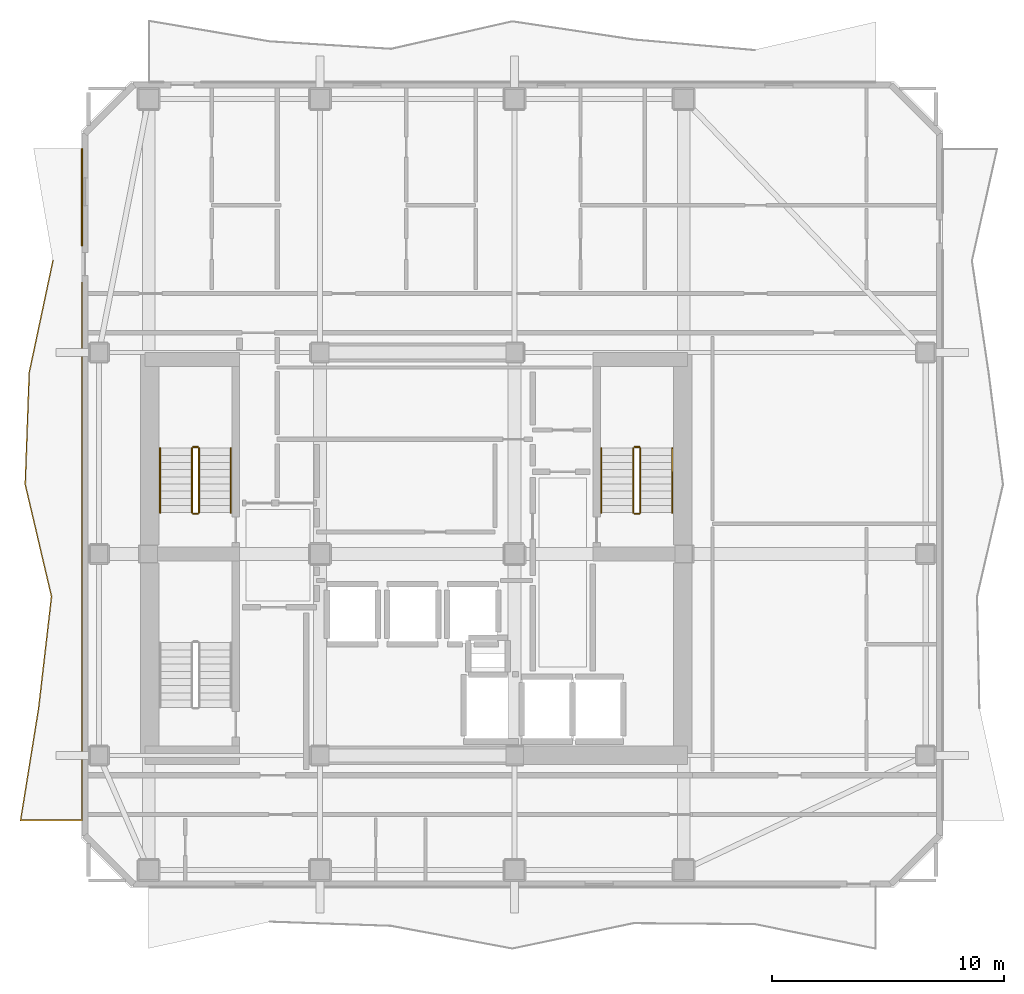
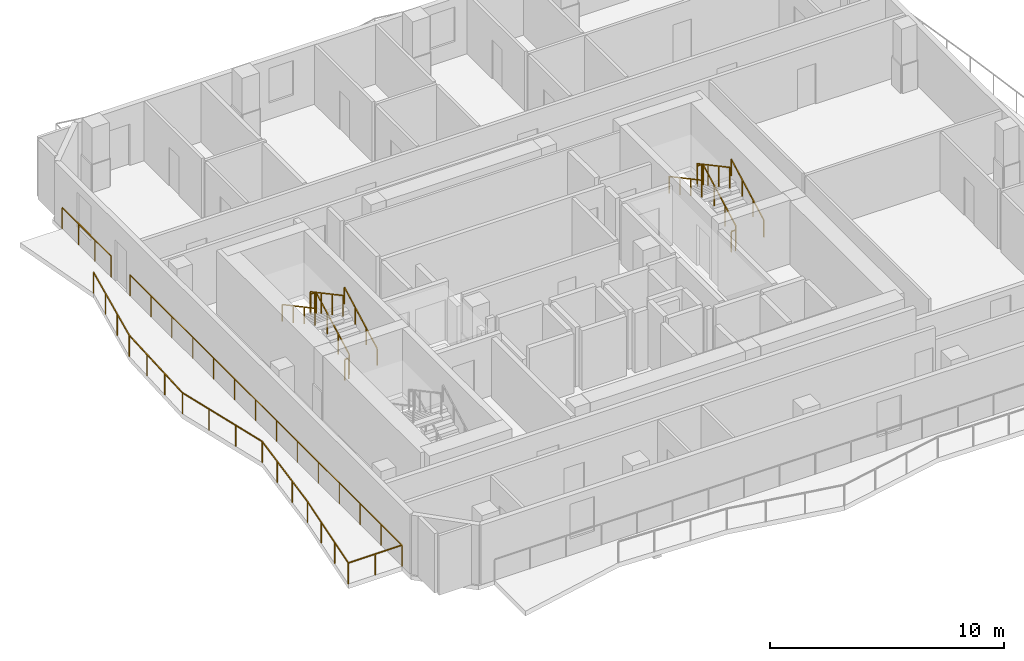
# One storey, part 8 of 9: 14 railings.
"""IFC4 building model written with IfcOpenShell, lengths in metres."""

import ifcopenshell
import ifcopenshell.guid

model = None  # the IFC model being written
_history = None  # IfcOwnerHistory: only IFC2X3 demands one
_inside = {}  # id of a spatial element -> (the spatial element, [elements in it])
_under = {}  # id of a project, library or spatial element -> (it, [spatial elements below it])
_declared = {}  # id of a project -> (the project, [libraries it declares])
_typed = {}  # id of a type object -> (the type object, [elements of that type])
_made_of = {}  # id of a material, layer set ... -> (it, [elements and type objects made of it])


def new_model(schema):
    """Start an empty IFC model of exactly this schema.

    Asked for "IFC4X3", IfcOpenShell would pick the latest addendum, in which some entities
    have other attributes; the version numbers below select the first issue.
    IFC2X3 requires an IfcOwnerHistory on every rooted entity: one is made here for all.
    """
    global model, _history
    if schema == "IFC4X3":
        model = ifcopenshell.file(schema_version=(4, 3, 0, 0))
    else:
        model = ifcopenshell.file(schema=schema)
    _inside.clear()
    _under.clear()
    _declared.clear()
    _typed.clear()
    _made_of.clear()
    _history = None
    if model.schema == "IFC2X3":
        org = make("IfcOrganization", Name="unknown")
        user = make(
            "IfcPersonAndOrganization",
            ThePerson=make("IfcPerson", FamilyName="unknown"),
            TheOrganization=org,
        )
        app = make(
            "IfcApplication",
            ApplicationDeveloper=org,
            Version="unknown",
            ApplicationFullName="unknown",
            ApplicationIdentifier="unknown",
        )
        _history = make(
            "IfcOwnerHistory",
            OwningUser=user,
            OwningApplication=app,
            ChangeAction="ADDED",
            CreationDate=0,
        )
    return model


def make(cls, **values):
    """One entity of the class cls with the attributes given. An attribute that is None is left unset."""
    return model.create_entity(
        cls, **{name: value for name, value in values.items() if value is not None}
    )


def rooted(cls, **values):
    """An entity with a GlobalId (a new one), such as an element, a storey or a relation."""
    return make(cls, GlobalId=ifcopenshell.guid.new(), OwnerHistory=_history, **values)


def si_unit(unit_type, name, prefix=None):
    """IfcSIUnit, for example si_unit("LENGTHUNIT", "METRE", prefix="MILLI")."""
    return make("IfcSIUnit", UnitType=unit_type, Prefix=prefix, Name=name)


def assignment(units):
    """IfcUnitAssignment: the units of a project."""
    return None if units is None else make("IfcUnitAssignment", Units=units)


def point(xyz):
    """IfcCartesianPoint."""
    return None if xyz is None else make("IfcCartesianPoint", Coordinates=xyz)


def direction(xyz):
    """IfcDirection."""
    return None if xyz is None else make("IfcDirection", DirectionRatios=xyz)


def frame(location, z_axis=None, x_axis=None):
    """IfcAxis2Placement3D, a coordinate frame: its origin and axes. An axis left out is left unset."""
    return make(
        "IfcAxis2Placement3D",
        Location=point(location),
        Axis=direction(z_axis),
        RefDirection=direction(x_axis),
    )


def frame_2d(location, x_axis=None):
    """IfcAxis2Placement2D, a coordinate frame in the plane: its origin and x axis."""
    return make(
        "IfcAxis2Placement2D", Location=point(location), RefDirection=direction(x_axis)
    )


def origin():
    """The frame at (0, 0, 0) with its axes left unset."""
    return frame((0.0, 0.0, 0.0))


def origin_2d():
    """The frame at (0, 0) in the plane with its x axis left unset."""
    return frame_2d((0.0, 0.0))


def place(relative_to, where):
    """IfcLocalPlacement: puts the frame where relative to a parent placement (None: the world)."""
    return make(
        "IfcLocalPlacement", PlacementRelTo=relative_to, RelativePlacement=where
    )


def context(
    kind, dimensions, precision=None, world=None, true_north=None, identifier=None
):
    """IfcGeometricRepresentationContext, for example the 3D "Model" context."""
    return make(
        "IfcGeometricRepresentationContext",
        ContextIdentifier=identifier,
        ContextType=kind,
        CoordinateSpaceDimension=dimensions,
        Precision=precision,
        WorldCoordinateSystem=world,
        TrueNorth=true_north,
    )


def subcontext(parent, identifier, kind, view, scale=None):
    """IfcGeometricRepresentationSubContext, for example "Body" below "Model"."""
    return make(
        "IfcGeometricRepresentationSubContext",
        ContextIdentifier=identifier,
        ContextType=kind,
        ParentContext=parent,
        TargetScale=scale,
        TargetView=view,
    )


def project(units=None, contexts=None):
    """IfcProject with its units and contexts."""
    return rooted(
        "IfcProject",
        Name="project",
        RepresentationContexts=contexts,
        UnitsInContext=assignment(units),
    )


def spatial(cls, under=None, at=None, **own):
    """A site, building, storey or space (cls), placed at a placement, below another one or the project."""
    s = rooted(cls, ObjectPlacement=at, **own)
    if under is not None:
        _under.setdefault(under.id(), (under, []))[1].append(s)
    return s


def profile(cls, at=None, kind="AREA", **sizes):
    """A parametric profile (cls). Its sizes go by their IFC names, for example OverallWidth=200.0."""
    return make(cls, ProfileType=kind, Position=at, **sizes)


def rectangle(**sizes):
    """IfcRectangleProfileDef."""
    return profile("IfcRectangleProfileDef", **sizes)


def extrude(swept, where, along, depth):
    """IfcExtrudedAreaSolid: the profile swept, set in the frame where, extruded along a direction by depth."""
    return make(
        "IfcExtrudedAreaSolid",
        SweptArea=swept,
        Position=where,
        ExtrudedDirection=direction(along),
        Depth=depth,
    )


def shape(context_of_items, identifier, shape_type, items):
    """IfcShapeRepresentation: the items that make up one representation, for example the "Body"."""
    return make(
        "IfcShapeRepresentation",
        ContextOfItems=context_of_items,
        RepresentationIdentifier=identifier,
        RepresentationType=shape_type,
        Items=items,
    )


def material(Name=None, Category=None):
    """IfcMaterial."""
    return make("IfcMaterial", Name=Name, Category=Category)


def made_of(thing, what):
    """Note that an element or type object is made of a material, layer set ...; save() writes the relation."""
    if what is not None:
        _made_of.setdefault(what.id(), (what, []))[1].append(thing)
    return thing


def type_object(cls, material=None, **own):
    """A type object (cls), such as IfcWallType, which elements share."""
    return made_of(rooted(cls, **own), material)


def element(
    cls,
    number,
    at=None,
    inside=None,
    cuts=None,
    type_object=None,
    material=None,
    context=None,
    identifier="Body",
    shape_type=None,
    held_by="IfcProductDefinitionShape",
    body=None,
    shapes=None,
    **own,
):
    """One element of the class cls, such as IfcWall. Its Tag is "e" and its number.

    at: its placement. inside: the storey or other place that contains it. cuts: it is an
    opening in that element (IfcRelVoidsElement). A single representation is given by context,
    identifier, shape_type and body (its items); several are given by shapes. held_by: the class
    of the entity that holds the representations. save() writes the other relations.
    """
    e = rooted(cls, Tag="e%d" % number, ObjectPlacement=at, **own)
    if body is not None:
        shapes = [shape(context, identifier, shape_type, body)]
    if shapes is not None:
        e.Representation = make(held_by, Representations=shapes)
    if inside is not None:
        _inside.setdefault(inside.id(), (inside, []))[1].append(e)
    if cuts is not None:
        rooted(
            "IfcRelVoidsElement", RelatingBuildingElement=cuts, RelatedOpeningElement=e
        )
    if type_object is not None:
        _typed.setdefault(type_object.id(), (type_object, []))[1].append(e)
    return made_of(e, material)


def aggregate(whole, parts):
    """IfcRelAggregates: a whole, such as a stair, and the parts it consists of."""
    return rooted("IfcRelAggregates", RelatingObject=whole, RelatedObjects=parts)


def save(model, path):
    """Write the relations noted so far, then the file.

    IfcRelAggregates (storeys below a building ...), IfcRelContainedInSpatialStructure (elements
    in a storey), IfcRelDefinesByType, IfcRelAssociatesMaterial and IfcRelDeclares: one each for
    every whole, place, type object, material and project.
    """
    for whole, parts in _under.values():
        aggregate(whole, parts)
    for where, things in _inside.values():
        rooted(
            "IfcRelContainedInSpatialStructure",
            RelatedElements=things,
            RelatingStructure=where,
        )
    for kind, things in _typed.values():
        rooted("IfcRelDefinesByType", RelatedObjects=things, RelatingType=kind)
    for what, things in _made_of.values():
        rooted("IfcRelAssociatesMaterial", RelatedObjects=things, RelatingMaterial=what)
    for by, libraries in _declared.values():
        rooted("IfcRelDeclares", RelatingContext=by, RelatedDefinitions=libraries)
    model.write(path)


model = new_model("IFC4")

# Units and contexts
model_context = context("Model", 3, precision=1e-05, world=origin(), true_north=direction((0.0, 1.0)))
body_context = subcontext(model_context, "Body", "Model", "MODEL_VIEW")
ifc_project = project(units=[si_unit("LENGTHUNIT", "METRE"), si_unit("AREAUNIT", "SQUARE_METRE"), si_unit("VOLUMEUNIT", "CUBIC_METRE"), si_unit("PLANEANGLEUNIT", "RADIAN"), si_unit("MASSUNIT", "GRAM", prefix="KILO")], contexts=[model_context])

# Site, building, storey
site_placement = place(None, origin())
site = spatial("IfcSite", under=ifc_project, at=site_placement, CompositionType="ELEMENT")
building_placement = place(site_placement, origin())
building = spatial("IfcBuilding", under=site, at=building_placement, Name="Solanera Arch Residences", CompositionType="ELEMENT")
storey_placement = place(building_placement, frame((0.0, 0.0, 244.56005859375)))
storey = spatial("IfcBuildingStorey", under=building, at=storey_placement, Name="L71", CompositionType="ELEMENT", Elevation=244.56005859375)

# Railings
ifc_material_1 = material(Name="Steel S355 (ASTM A992 / A572 Grade 50)", Category="steel")
railing_type_1 = type_object("IfcRailingType", Name="Balustrade Railing BL-1100", PredefinedType="BALUSTRADE", material=ifc_material_1)
railing_1_placement = place(storey_placement, frame((9.262939453125, 43.366943359375, 0.0)))
element("IfcRailing", 1, at=railing_1_placement, inside=storey, type_object=railing_type_1, Name="L71 W Balcony Balustrade 1", PredefinedType="BALUSTRADE", context=body_context, shape_type="SweptSolid", body=[
    extrude(rectangle(XDim=0.048095703125, YDim=0.048095703125, at=origin_2d()), frame((0.0, 0.0, 1.09619140625), z_axis=(-0.207409648546, -0.978254178468, 0.0), x_axis=(0.978254178468, -0.207409648546, 0.0)), (0.0, 0.0, 1.0), 4.94140625),
    extrude(rectangle(XDim=0.048095703125, YDim=0.048095703125, at=origin_2d()), frame((-1.02490234375, -4.833984375, 1.09619140625), z_axis=(-0.035792367488, -0.999359247933, 0.0), x_axis=(0.999359247933, -0.035792367488, 0.0)), (0.0, 0.0, 1.0), 4.836181640625),
    extrude(rectangle(XDim=0.048095703125, YDim=0.048095703125, at=origin_2d()), frame((-1.197998046875, -9.6669921875, 1.09619140625), z_axis=(0.228811832081, -0.973470670077, 0.0), x_axis=(0.973470670077, 0.228811832081, 0.0)), (0.0, 0.0, 1.0), 4.964599609375),
    extrude(rectangle(XDim=0.048095703125, YDim=0.048095703125, at=origin_2d()), frame((-0.06201171875, -14.5, 1.09619140625), z_axis=(-0.114643151373, -0.993406738372, 0.0), x_axis=(0.993406738372, -0.114643151373, 0.0)), (0.0, 0.0, 1.0), 4.865966796875),
    extrude(rectangle(XDim=0.048095703125, YDim=0.048095703125, at=origin_2d()), frame((-0.619873046875, -19.333984375, 1.09619140625), z_axis=(-0.15875102326, -0.987318647962, 0.0), x_axis=(0.987318647962, -0.15875102326, 0.0)), (0.0, 0.0, 1.0), 4.89501953125),
    extrude(rectangle(XDim=0.048095703125, YDim=0.048095703125, at=origin_2d()), frame((-1.39697265625, -24.1669921875, 1.09619140625), z_axis=(1.0, 0.0, 0.0), x_axis=(0.0, 1.0, 0.0)), (0.0, 0.0, 1.0), 2.654052734375),
    extrude(rectangle(XDim=0.048095703125, YDim=0.048095703125, at=origin_2d()), frame((1.257080078125, -24.1669921875, 1.09619140625), z_axis=(0.0, 1.0, 0.0), x_axis=(-1.0, 0.0, 0.0)), (0.0, 0.0, 1.0), 23.216064453125),
    extrude(rectangle(XDim=0.0419921875, YDim=0.0419921875, at=origin_2d()), origin(), (0.0, 0.0, 1.0), 1.072021484375),
    extrude(rectangle(XDim=0.0419921875, YDim=0.0419921875, at=origin_2d()), frame((-0.341552734375, -1.611328125, 0.0)), (0.0, 0.0, 1.0), 1.072021484375),
    extrude(rectangle(XDim=0.0419921875, YDim=0.0419921875, at=origin_2d()), frame((-0.683349609375, -3.22265625, 0.0)), (0.0, 0.0, 1.0), 1.072021484375),
    extrude(rectangle(XDim=0.0419921875, YDim=0.0419921875, at=origin_2d()), frame((-1.02490234375, -4.833984375, 0.0)), (0.0, 0.0, 1.0), 1.072021484375),
    extrude(rectangle(XDim=0.0419921875, YDim=0.0419921875, at=origin_2d()), frame((-1.08251953125, -6.445068359375, 0.0)), (0.0, 0.0, 1.0), 1.072021484375),
    extrude(rectangle(XDim=0.0419921875, YDim=0.0419921875, at=origin_2d()), frame((-1.140380859375, -8.055908203125, 0.0)), (0.0, 0.0, 1.0), 1.072021484375),
    extrude(rectangle(XDim=0.0419921875, YDim=0.0419921875, at=origin_2d()), frame((-1.197998046875, -9.6669921875, 0.0)), (0.0, 0.0, 1.0), 1.072021484375),
    extrude(rectangle(XDim=0.0419921875, YDim=0.0419921875, at=origin_2d()), frame((-0.8193359375, -11.278076171875, 0.0)), (0.0, 0.0, 1.0), 1.072021484375),
    extrude(rectangle(XDim=0.0419921875, YDim=0.0419921875, at=origin_2d()), frame((-0.440673828125, -12.888916015625, 0.0)), (0.0, 0.0, 1.0), 1.072021484375),
    extrude(rectangle(XDim=0.0419921875, YDim=0.0419921875, at=origin_2d()), frame((-0.06201171875, -14.5, 0.0)), (0.0, 0.0, 1.0), 1.072021484375),
    extrude(rectangle(XDim=0.0419921875, YDim=0.0419921875, at=origin_2d()), frame((-0.248046875, -16.111328125, 0.0)), (0.0, 0.0, 1.0), 1.072021484375),
    extrude(rectangle(XDim=0.0419921875, YDim=0.0419921875, at=origin_2d()), frame((-0.433837890625, -17.72265625, 0.0)), (0.0, 0.0, 1.0), 1.072021484375),
    extrude(rectangle(XDim=0.0419921875, YDim=0.0419921875, at=origin_2d()), frame((-0.619873046875, -19.333984375, 0.0)), (0.0, 0.0, 1.0), 1.072021484375),
    extrude(rectangle(XDim=0.0419921875, YDim=0.0419921875, at=origin_2d()), frame((-0.87890625, -20.945068359375, 0.0)), (0.0, 0.0, 1.0), 1.072021484375),
    extrude(rectangle(XDim=0.0419921875, YDim=0.0419921875, at=origin_2d()), frame((-1.137939453125, -22.555908203125, 0.0)), (0.0, 0.0, 1.0), 1.072021484375),
    extrude(rectangle(XDim=0.0419921875, YDim=0.0419921875, at=origin_2d()), frame((-1.39697265625, -24.1669921875, 0.0)), (0.0, 0.0, 1.0), 1.072021484375),
    extrude(rectangle(XDim=0.0419921875, YDim=0.0419921875, at=origin_2d()), frame((-0.06982421875, -24.1669921875, 0.0)), (0.0, 0.0, 1.0), 1.072021484375),
    extrude(rectangle(XDim=0.0419921875, YDim=0.0419921875, at=origin_2d()), frame((1.257080078125, -24.1669921875, 0.0)), (0.0, 0.0, 1.0), 1.072021484375),
    extrude(rectangle(XDim=0.0419921875, YDim=0.0419921875, at=origin_2d()), frame((1.257080078125, -22.381103515625, 0.0)), (0.0, 0.0, 1.0), 1.072021484375),
    extrude(rectangle(XDim=0.0419921875, YDim=0.0419921875, at=origin_2d()), frame((1.257080078125, -20.59521484375, 0.0)), (0.0, 0.0, 1.0), 1.072021484375),
    extrude(rectangle(XDim=0.0419921875, YDim=0.0419921875, at=origin_2d()), frame((1.257080078125, -18.809326171875, 0.0)), (0.0, 0.0, 1.0), 1.072021484375),
    extrude(rectangle(XDim=0.0419921875, YDim=0.0419921875, at=origin_2d()), frame((1.257080078125, -17.023681640625, 0.0)), (0.0, 0.0, 1.0), 1.072021484375),
    extrude(rectangle(XDim=0.0419921875, YDim=0.0419921875, at=origin_2d()), frame((1.257080078125, -15.23779296875, 0.0)), (0.0, 0.0, 1.0), 1.072021484375),
    extrude(rectangle(XDim=0.0419921875, YDim=0.0419921875, at=origin_2d()), frame((1.257080078125, -13.451904296875, 0.0)), (0.0, 0.0, 1.0), 1.072021484375),
    extrude(rectangle(XDim=0.0419921875, YDim=0.0419921875, at=origin_2d()), frame((1.257080078125, -11.666015625, 0.0)), (0.0, 0.0, 1.0), 1.072021484375),
    extrude(rectangle(XDim=0.0419921875, YDim=0.0419921875, at=origin_2d()), frame((1.257080078125, -9.880126953125, 0.0)), (0.0, 0.0, 1.0), 1.072021484375),
    extrude(rectangle(XDim=0.0419921875, YDim=0.0419921875, at=origin_2d()), frame((1.257080078125, -8.09423828125, 0.0)), (0.0, 0.0, 1.0), 1.072021484375),
    extrude(rectangle(XDim=0.0419921875, YDim=0.0419921875, at=origin_2d()), frame((1.257080078125, -6.30859375, 0.0)), (0.0, 0.0, 1.0), 1.072021484375),
    extrude(rectangle(XDim=0.0419921875, YDim=0.0419921875, at=origin_2d()), frame((1.257080078125, -4.522705078125, 0.0)), (0.0, 0.0, 1.0), 1.072021484375),
    extrude(rectangle(XDim=0.0419921875, YDim=0.0419921875, at=origin_2d()), frame((1.257080078125, -2.73681640625, 0.0)), (0.0, 0.0, 1.0), 1.072021484375),
    extrude(rectangle(XDim=0.0419921875, YDim=0.0419921875, at=origin_2d()), frame((1.257080078125, -0.950927734375, 0.0)), (0.0, 0.0, 1.0), 1.072021484375),
])
railing_2_placement = place(storey_placement, frame((10.52001953125, 44.01611328125, 0.0)))
element("IfcRailing", 2, at=railing_2_placement, inside=storey, type_object=railing_type_1, Name="L71 W Balcony Balustrade 2", PredefinedType="BALUSTRADE", context=body_context, shape_type="SweptSolid", body=[
    extrude(rectangle(XDim=0.048095703125, YDim=0.048095703125, at=origin_2d()), frame((0.0, 0.0, 1.09619140625), z_axis=(0.0, 1.0, 0.0), x_axis=(-1.0, 0.0, 0.0)), (0.0, 0.0, 1.0), 4.183837890625),
    extrude(rectangle(XDim=0.0419921875, YDim=0.0419921875, at=origin_2d()), origin(), (0.0, 0.0, 1.0), 1.072021484375),
    extrude(rectangle(XDim=0.0419921875, YDim=0.0419921875, at=origin_2d()), frame((0.0, 1.39453125, 0.0)), (0.0, 0.0, 1.0), 1.072021484375),
    extrude(rectangle(XDim=0.0419921875, YDim=0.0419921875, at=origin_2d()), frame((0.0, 2.789306640625, 0.0)), (0.0, 0.0, 1.0), 1.072021484375),
    extrude(rectangle(XDim=0.0419921875, YDim=0.0419921875, at=origin_2d()), frame((0.0, 4.183837890625, 0.0)), (0.0, 0.0, 1.0), 1.072021484375),
])
ifc_material_2 = material(Name="Steel S355 (ASTM A992 / A572 Grade 50)", Category="steel")
railing_type_2 = type_object("IfcRailingType", Name="Stair Guardrail GR-1100", PredefinedType="GUARDRAIL", material=ifc_material_2)
railing_3_placement = place(storey_placement, frame((15.570068359375, 32.47998046875, 0.15087890625)))
element("IfcRailing", 3, at=railing_3_placement, inside=storey, type_object=railing_type_2, Name="L71 ST-T1 stair guard 1", PredefinedType="GUARDRAIL", context=body_context, shape_type="SweptSolid", body=[
    extrude(rectangle(XDim=0.048095703125, YDim=0.048095703125, at=origin_2d()), frame((0.0, 0.0, 1.076171875), z_axis=(0.0, 0.881548766853, 0.472092969298), x_axis=(-1.0, 0.0, 0.0)), (0.0, 0.0, 1.0), 3.1650390625),
    extrude(rectangle(XDim=0.0419921875, YDim=0.0419921875, at=origin_2d()), origin(), (0.0, 0.0, 1.0), 1.052001953125),
    extrude(rectangle(XDim=0.0419921875, YDim=0.0419921875, at=origin_2d()), frame((0.0, 0.929931640625, 0.498046875)), (0.0, 0.0, 1.0), 1.052001953125),
    extrude(rectangle(XDim=0.0419921875, YDim=0.0419921875, at=origin_2d()), frame((0.0, 1.860107421875, 0.99609375)), (0.0, 0.0, 1.0), 1.052001953125),
    extrude(rectangle(XDim=0.0419921875, YDim=0.0419921875, at=origin_2d()), frame((0.0, 2.7900390625, 1.494140625)), (0.0, 0.0, 1.0), 1.052001953125),
])
railing_4_placement = place(storey_placement, frame((15.52001953125, 35.320068359375, 1.64501953125)))
element("IfcRailing", 4, at=railing_4_placement, inside=storey, type_object=railing_type_2, Name="L71 ST-T1 stair guard 2", PredefinedType="GUARDRAIL", context=body_context, shape_type="SweptSolid", body=[
    extrude(rectangle(XDim=0.048095703125, YDim=0.048095703125, at=origin_2d()), frame((0.0, 0.0, 1.076171875), z_axis=(-1.0, 0.0, 0.0), x_axis=(0.0, -1.0, 0.0)), (0.0, 0.0, 1.0), 0.199951171875),
    extrude(rectangle(XDim=0.0419921875, YDim=0.0419921875, at=origin_2d()), origin(), (0.0, 0.0, 1.0), 1.052001953125),
    extrude(rectangle(XDim=0.0419921875, YDim=0.0419921875, at=origin_2d()), frame((-0.199951171875, 0.0, 0.0)), (0.0, 0.0, 1.0), 1.052001953125),
])
railing_5_placement = place(storey_placement, frame((15.27001953125, 35.27001953125, 1.81103515625)))
element("IfcRailing", 5, at=railing_5_placement, inside=storey, type_object=railing_type_2, Name="L71 ST-T1 stair guard 3", PredefinedType="GUARDRAIL", context=body_context, shape_type="SweptSolid", body=[
    extrude(rectangle(XDim=0.048095703125, YDim=0.048095703125, at=origin_2d()), frame((0.0, 0.0, 1.076171875), z_axis=(0.0, -0.881580869306, 0.472033018838), x_axis=(1.0, 0.0, 0.0)), (0.0, 0.0, 1.0), 3.164794921875),
    extrude(rectangle(XDim=0.0419921875, YDim=0.0419921875, at=origin_2d()), origin(), (0.0, 0.0, 1.0), 1.052001953125),
    extrude(rectangle(XDim=0.0419921875, YDim=0.0419921875, at=origin_2d()), frame((0.0, -0.929931640625, 0.498046875)), (0.0, 0.0, 1.0), 1.052001953125),
    extrude(rectangle(XDim=0.0419921875, YDim=0.0419921875, at=origin_2d()), frame((0.0, -1.860107421875, 0.995849609375)), (0.0, 0.0, 1.0), 1.052001953125),
    extrude(rectangle(XDim=0.0419921875, YDim=0.0419921875, at=origin_2d()), frame((0.0, -2.7900390625, 1.493896484375)), (0.0, 0.0, 1.0), 1.052001953125),
])
railing_6_placement = place(storey_placement, frame((15.52001953125, 32.429931640625, -0.01513671875)))
element("IfcRailing", 6, at=railing_6_placement, inside=storey, type_object=railing_type_2, Name="L71 ST-T1 stair guard 4", PredefinedType="GUARDRAIL", context=body_context, shape_type="SweptSolid", body=[
    extrude(rectangle(XDim=0.048095703125, YDim=0.048095703125, at=origin_2d()), frame((0.0, 0.0, 1.076171875), z_axis=(-1.0, 0.0, 0.0), x_axis=(0.0, -1.0, 0.0)), (0.0, 0.0, 1.0), 0.199951171875),
    extrude(rectangle(XDim=0.0419921875, YDim=0.0419921875, at=origin_2d()), origin(), (0.0, 0.0, 1.0), 1.052001953125),
    extrude(rectangle(XDim=0.0419921875, YDim=0.0419921875, at=origin_2d()), frame((-0.199951171875, 0.0, 0.0)), (0.0, 0.0, 1.0), 1.052001953125),
])
railing_7_placement = place(storey_placement, frame((34.6298828125, 32.47998046875, 0.15087890625)))
element("IfcRailing", 7, at=railing_7_placement, inside=storey, type_object=railing_type_2, Name="L71 ST-T2 stair guard 1", PredefinedType="GUARDRAIL", context=body_context, shape_type="SweptSolid", body=[
    extrude(rectangle(XDim=0.048095703125, YDim=0.048095703125, at=origin_2d()), frame((0.0, 0.0, 1.076171875), z_axis=(0.0, 0.881548766853, 0.472092969298), x_axis=(-1.0, 0.0, 0.0)), (0.0, 0.0, 1.0), 3.1650390625),
    extrude(rectangle(XDim=0.0419921875, YDim=0.0419921875, at=origin_2d()), origin(), (0.0, 0.0, 1.0), 1.052001953125),
    extrude(rectangle(XDim=0.0419921875, YDim=0.0419921875, at=origin_2d()), frame((0.0, 0.929931640625, 0.498046875)), (0.0, 0.0, 1.0), 1.052001953125),
    extrude(rectangle(XDim=0.0419921875, YDim=0.0419921875, at=origin_2d()), frame((0.0, 1.860107421875, 0.99609375)), (0.0, 0.0, 1.0), 1.052001953125),
    extrude(rectangle(XDim=0.0419921875, YDim=0.0419921875, at=origin_2d()), frame((0.0, 2.7900390625, 1.494140625)), (0.0, 0.0, 1.0), 1.052001953125),
])
railing_8_placement = place(storey_placement, frame((34.580078125, 35.320068359375, 1.64501953125)))
element("IfcRailing", 8, at=railing_8_placement, inside=storey, type_object=railing_type_2, Name="L71 ST-T2 stair guard 2", PredefinedType="GUARDRAIL", context=body_context, shape_type="SweptSolid", body=[
    extrude(rectangle(XDim=0.048095703125, YDim=0.048095703125, at=origin_2d()), frame((0.0, 0.0, 1.076171875), z_axis=(-1.0, 0.0, 0.0), x_axis=(0.0, -1.0, 0.0)), (0.0, 0.0, 1.0), 0.2001953125),
    extrude(rectangle(XDim=0.0419921875, YDim=0.0419921875, at=origin_2d()), origin(), (0.0, 0.0, 1.0), 1.052001953125),
    extrude(rectangle(XDim=0.0419921875, YDim=0.0419921875, at=origin_2d()), frame((-0.2001953125, 0.0, 0.0)), (0.0, 0.0, 1.0), 1.052001953125),
])
railing_9_placement = place(storey_placement, frame((34.330078125, 35.27001953125, 1.81103515625)))
element("IfcRailing", 9, at=railing_9_placement, inside=storey, type_object=railing_type_2, Name="L71 ST-T2 stair guard 3", PredefinedType="GUARDRAIL", context=body_context, shape_type="SweptSolid", body=[
    extrude(rectangle(XDim=0.048095703125, YDim=0.048095703125, at=origin_2d()), frame((0.0, 0.0, 1.076171875), z_axis=(0.0, -0.881580869306, 0.472033018838), x_axis=(1.0, 0.0, 0.0)), (0.0, 0.0, 1.0), 3.164794921875),
    extrude(rectangle(XDim=0.0419921875, YDim=0.0419921875, at=origin_2d()), origin(), (0.0, 0.0, 1.0), 1.052001953125),
    extrude(rectangle(XDim=0.0419921875, YDim=0.0419921875, at=origin_2d()), frame((0.0, -0.929931640625, 0.498046875)), (0.0, 0.0, 1.0), 1.052001953125),
    extrude(rectangle(XDim=0.0419921875, YDim=0.0419921875, at=origin_2d()), frame((0.0, -1.860107421875, 0.995849609375)), (0.0, 0.0, 1.0), 1.052001953125),
    extrude(rectangle(XDim=0.0419921875, YDim=0.0419921875, at=origin_2d()), frame((0.0, -2.7900390625, 1.493896484375)), (0.0, 0.0, 1.0), 1.052001953125),
])
railing_10_placement = place(storey_placement, frame((34.580078125, 32.429931640625, -0.01513671875)))
element("IfcRailing", 10, at=railing_10_placement, inside=storey, type_object=railing_type_2, Name="L71 ST-T2 stair guard 4", PredefinedType="GUARDRAIL", context=body_context, shape_type="SweptSolid", body=[
    extrude(rectangle(XDim=0.048095703125, YDim=0.048095703125, at=origin_2d()), frame((0.0, 0.0, 1.076171875), z_axis=(-1.0, 0.0, 0.0), x_axis=(0.0, -1.0, 0.0)), (0.0, 0.0, 1.0), 0.2001953125),
    extrude(rectangle(XDim=0.0419921875, YDim=0.0419921875, at=origin_2d()), origin(), (0.0, 0.0, 1.0), 1.052001953125),
    extrude(rectangle(XDim=0.0419921875, YDim=0.0419921875, at=origin_2d()), frame((-0.2001953125, 0.0, 0.0)), (0.0, 0.0, 1.0), 1.052001953125),
])
ifc_material_3 = material(Name="Steel S355 (ASTM A992 / A572 Grade 50)", Category="steel")
railing_type_3 = type_object("IfcRailingType", Name="Stair Wall Handrail HR-920", PredefinedType="HANDRAIL", material=ifc_material_3)
railing_11_placement = place(storey_placement, frame((16.949951171875, 32.47998046875, 0.166015625)))
element("IfcRailing", 11, at=railing_11_placement, inside=storey, type_object=railing_type_3, Name="L71 ST-T1 stair handrail 1", PredefinedType="HANDRAIL", context=body_context, shape_type="SweptSolid", body=[
    extrude(rectangle(XDim=0.048095703125, YDim=0.048095703125, at=origin_2d()), frame((0.0, 0.0, 0.8759765625), z_axis=(0.0, 0.881580869306, 0.472033018838), x_axis=(-1.0, 0.0, 0.0)), (0.0, 0.0, 1.0), 3.164794921875),
    extrude(rectangle(XDim=0.0419921875, YDim=0.0419921875, at=origin_2d()), origin(), (0.0, 0.0, 1.0), 0.851806640625),
    extrude(rectangle(XDim=0.0419921875, YDim=0.0419921875, at=origin_2d()), frame((0.0, 0.929931640625, 0.498046875)), (0.0, 0.0, 1.0), 0.851806640625),
    extrude(rectangle(XDim=0.0419921875, YDim=0.0419921875, at=origin_2d()), frame((0.0, 1.860107421875, 0.995849609375)), (0.0, 0.0, 1.0), 0.851806640625),
    extrude(rectangle(XDim=0.0419921875, YDim=0.0419921875, at=origin_2d()), frame((0.0, 2.7900390625, 1.493896484375)), (0.0, 0.0, 1.0), 0.851806640625),
])
railing_12_placement = place(storey_placement, frame((13.889892578125, 35.27001953125, 1.825927734375)))
element("IfcRailing", 12, at=railing_12_placement, inside=storey, type_object=railing_type_3, Name="L71 ST-T1 stair handrail 2", PredefinedType="HANDRAIL", context=body_context, shape_type="SweptSolid", body=[
    extrude(rectangle(XDim=0.048095703125, YDim=0.048095703125, at=origin_2d()), frame((0.0, 0.0, 0.8759765625), z_axis=(0.0, -0.881580869306, 0.472033018838), x_axis=(1.0, 0.0, 0.0)), (0.0, 0.0, 1.0), 3.164794921875),
    extrude(rectangle(XDim=0.0419921875, YDim=0.0419921875, at=origin_2d()), origin(), (0.0, 0.0, 1.0), 0.851806640625),
    extrude(rectangle(XDim=0.0419921875, YDim=0.0419921875, at=origin_2d()), frame((0.0, -0.929931640625, 0.498046875)), (0.0, 0.0, 1.0), 0.851806640625),
    extrude(rectangle(XDim=0.0419921875, YDim=0.0419921875, at=origin_2d()), frame((0.0, -1.860107421875, 0.995849609375)), (0.0, 0.0, 1.0), 0.851806640625),
    extrude(rectangle(XDim=0.0419921875, YDim=0.0419921875, at=origin_2d()), frame((0.0, -2.7900390625, 1.493896484375)), (0.0, 0.0, 1.0), 0.851806640625),
])
railing_13_placement = place(storey_placement, frame((36.010009765625, 32.47998046875, 0.166015625)))
element("IfcRailing", 13, at=railing_13_placement, inside=storey, type_object=railing_type_3, Name="L71 ST-T2 stair handrail 1", PredefinedType="HANDRAIL", context=body_context, shape_type="SweptSolid", body=[
    extrude(rectangle(XDim=0.048095703125, YDim=0.048095703125, at=origin_2d()), frame((0.0, 0.0, 0.8759765625), z_axis=(0.0, 0.881580869306, 0.472033018838), x_axis=(-1.0, 0.0, 0.0)), (0.0, 0.0, 1.0), 3.164794921875),
    extrude(rectangle(XDim=0.0419921875, YDim=0.0419921875, at=origin_2d()), origin(), (0.0, 0.0, 1.0), 0.851806640625),
    extrude(rectangle(XDim=0.0419921875, YDim=0.0419921875, at=origin_2d()), frame((0.0, 0.929931640625, 0.498046875)), (0.0, 0.0, 1.0), 0.851806640625),
    extrude(rectangle(XDim=0.0419921875, YDim=0.0419921875, at=origin_2d()), frame((0.0, 1.860107421875, 0.995849609375)), (0.0, 0.0, 1.0), 0.851806640625),
    extrude(rectangle(XDim=0.0419921875, YDim=0.0419921875, at=origin_2d()), frame((0.0, 2.7900390625, 1.493896484375)), (0.0, 0.0, 1.0), 0.851806640625),
])
railing_14_placement = place(storey_placement, frame((32.949951171875, 35.27001953125, 1.825927734375)))
element("IfcRailing", 14, at=railing_14_placement, inside=storey, type_object=railing_type_3, Name="L71 ST-T2 stair handrail 2", PredefinedType="HANDRAIL", context=body_context, shape_type="SweptSolid", body=[
    extrude(rectangle(XDim=0.048095703125, YDim=0.048095703125, at=origin_2d()), frame((0.0, 0.0, 0.8759765625), z_axis=(0.0, -0.881580869306, 0.472033018838), x_axis=(1.0, 0.0, 0.0)), (0.0, 0.0, 1.0), 3.164794921875),
    extrude(rectangle(XDim=0.0419921875, YDim=0.0419921875, at=origin_2d()), origin(), (0.0, 0.0, 1.0), 0.851806640625),
    extrude(rectangle(XDim=0.0419921875, YDim=0.0419921875, at=origin_2d()), frame((0.0, -0.929931640625, 0.498046875)), (0.0, 0.0, 1.0), 0.851806640625),
    extrude(rectangle(XDim=0.0419921875, YDim=0.0419921875, at=origin_2d()), frame((0.0, -1.860107421875, 0.995849609375)), (0.0, 0.0, 1.0), 0.851806640625),
    extrude(rectangle(XDim=0.0419921875, YDim=0.0419921875, at=origin_2d()), frame((0.0, -2.7900390625, 1.493896484375)), (0.0, 0.0, 1.0), 0.851806640625),
])

save(model, "model.ifc")
